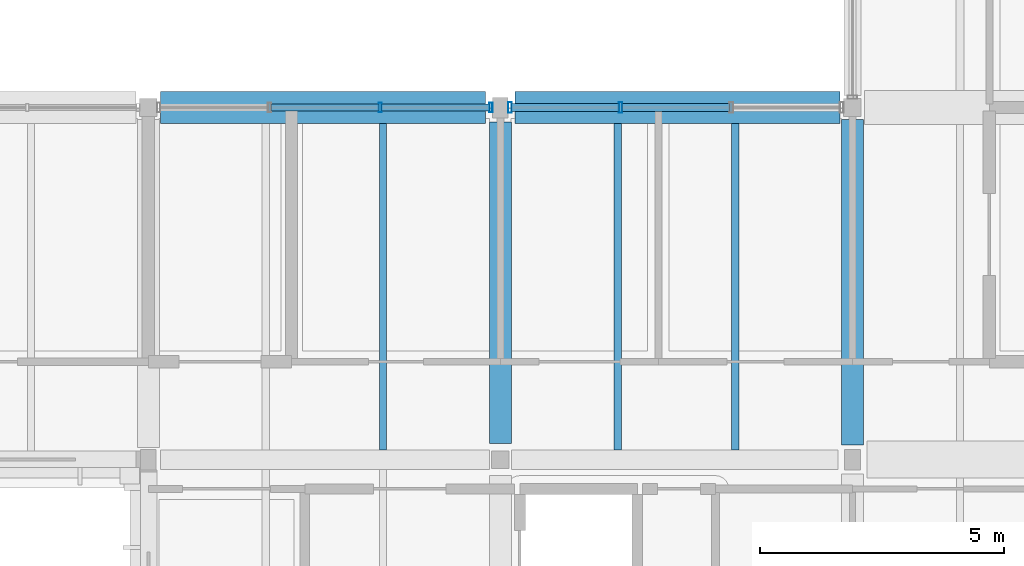
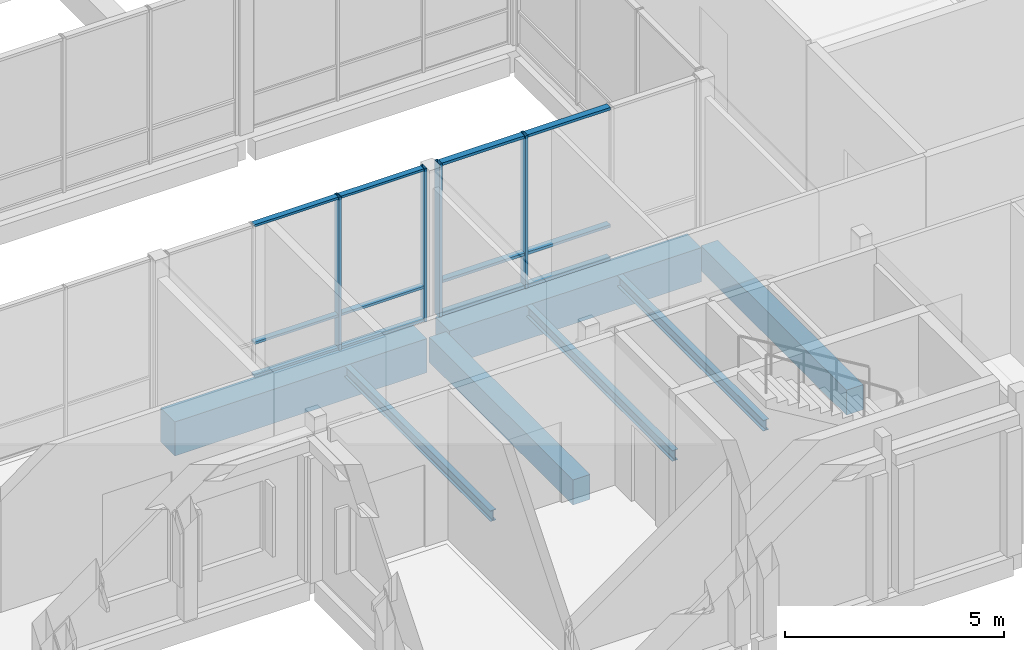
# One storey, part 34 of 146: 16 members, 7 beams, 2 elements without a shape of their own.
"""IFC4 building model written with IfcOpenShell, lengths in metres."""

from ifc_helpers import new_model, si_unit, direction, frame, origin, origin_2d, place, context, subcontext, project, spatial, rectangle, hollow_rectangle, i_section, extrude, material, material_profile, profile_set, type_object, element, aggregate, save


model = new_model("IFC4")

# Units and contexts
model_context = context("Model", 3, precision=1e-05, world=origin(), true_north=direction((0.0, 1.0)))
body_context = subcontext(model_context, "Body", "Model", "MODEL_VIEW")
ifc_project = project(units=[si_unit("LENGTHUNIT", "METRE"), si_unit("AREAUNIT", "SQUARE_METRE"), si_unit("VOLUMEUNIT", "CUBIC_METRE"), si_unit("PLANEANGLEUNIT", "RADIAN"), si_unit("MASSUNIT", "GRAM", prefix="KILO")], contexts=[model_context])

# Site, building, storey
site_placement = place(None, origin())
site = spatial("IfcSite", under=ifc_project, at=site_placement, CompositionType="ELEMENT")
building_placement = place(site_placement, origin())
building = spatial("IfcBuilding", under=site, at=building_placement, Name="Hawrajan Terrace Health Centre", CompositionType="ELEMENT")
storey_placement = place(building_placement, frame((0.0, 0.0, 4.5)))
storey = spatial("IfcBuildingStorey", under=building, at=storey_placement, Name="L01", CompositionType="ELEMENT", Elevation=4.5)

# Curtain wall, members
ifc_material_1 = material(Name="Anodized bronze aluminium and low-E solar glazing", Category="aluminium")
curtain_wall_type_1 = type_object("IfcCurtainWallType", Name="CW_Court_SeriesA1", PredefinedType="USERDEFINED", material=ifc_material_1)
curtain_wall_1_placement = place(storey_placement, origin())
curtain_wall_1 = element("IfcCurtainWall", 1, at=curtain_wall_1_placement, inside=storey, type_object=curtain_wall_type_1, Name="Curtain wall CW-L01-073", ObjectType="UNITISED CURTAIN WALL", PredefinedType="USERDEFINED")
ifc_material_2 = material(Name="Anodized bronze aluminium 6063-T6", Category="aluminium")
ifc_material_profile_1 = material_profile(ifc_material_2, hollow_rectangle(XDim=0.06494140625, YDim=0.199951171875, WallThickness=0.00439453125, at=origin_2d()), Name="CW MUL 65x200")
ifc_profile_set_1 = profile_set([ifc_material_profile_1], Name="Anodized bronze aluminium 6063-T6")
member_type_1 = type_object("IfcMemberType", Name="CWMullion_65x200", PredefinedType="MULLION", material=ifc_profile_set_1)
member_1_placement = place(storey_placement, frame((52.54248046875, 18.60009765625, -0.0048828125), z_axis=(0.0, 0.0, 1.0), x_axis=(1.0, 0.0, 0.0)))
member_1 = element("IfcMember", 2, at=member_1_placement, type_object=member_type_1, Name="Mullion CW-L01-073-M3", PredefinedType="MULLION", context=body_context, shape_type="SweptSolid", body=[
    extrude(hollow_rectangle(XDim=0.06494140625, YDim=0.199951171875, WallThickness=0.00439453125, at=origin_2d()), origin(), (0.0, 0.0, 1.0), 4.269775390625),
])
member_2_placement = place(storey_placement, frame((54.8076171875, 18.60009765625, -0.0048828125), z_axis=(0.0, 0.0, 1.0), x_axis=(1.0, 0.0, 0.0)))
member_2 = element("IfcMember", 3, at=member_2_placement, type_object=member_type_1, Name="Mullion CW-L01-073-M4", PredefinedType="MULLION", context=body_context, shape_type="SweptSolid", body=[
    extrude(hollow_rectangle(XDim=0.06494140625, YDim=0.199951171875, WallThickness=0.00439453125, at=origin_2d()), origin(), (0.0, 0.0, 1.0), 4.269775390625),
])

curtain_wall_type_2 = type_object("IfcCurtainWallType", Name="CW_Court_SeriesB2", PredefinedType="USERDEFINED", material=ifc_material_1)
curtain_wall_2_placement = place(storey_placement, origin())
curtain_wall_2 = element("IfcCurtainWall", 4, at=curtain_wall_2_placement, inside=storey, type_object=curtain_wall_type_2, Name="Curtain wall CW-L01-077", ObjectType="UNITISED CURTAIN WALL", PredefinedType="USERDEFINED")
ifc_material_profile_2 = material_profile(ifc_material_2, hollow_rectangle(XDim=0.074951171875, YDim=0.219970703125, WallThickness=0.0048828125, at=origin_2d()), Name="CW MUL 75x220")
ifc_profile_set_2 = profile_set([ifc_material_profile_2], Name="Anodized bronze aluminium 6063-T6")
member_type_2 = type_object("IfcMemberType", Name="CWMullion_75x220", PredefinedType="MULLION", material=ifc_profile_set_2)
member_3_placement = place(storey_placement, frame((55.197509765625, 18.60009765625, -0.0048828125), z_axis=(0.0, 0.0, 1.0), x_axis=(1.0, 0.0, 0.0)))
member_3 = element("IfcMember", 5, at=member_3_placement, type_object=member_type_2, Name="Mullion CW-L01-077-M1", PredefinedType="MULLION", context=body_context, shape_type="SweptSolid", body=[
    extrude(hollow_rectangle(XDim=0.074951171875, YDim=0.219970703125, WallThickness=0.0048828125, at=origin_2d()), origin(), (0.0, 0.0, 1.0), 4.269775390625),
])
member_4_placement = place(storey_placement, frame((57.459228515625, 18.60009765625, -0.0048828125), z_axis=(0.0, 0.0, 1.0), x_axis=(1.0, 0.0, 0.0)))
member_4 = element("IfcMember", 6, at=member_4_placement, type_object=member_type_2, Name="Mullion CW-L01-077-M2", PredefinedType="MULLION", context=body_context, shape_type="SweptSolid", body=[
    extrude(hollow_rectangle(XDim=0.074951171875, YDim=0.219970703125, WallThickness=0.0048828125, at=origin_2d()), origin(), (0.0, 0.0, 1.0), 4.269775390625),
])

# Member
ifc_material_profile_3 = material_profile(ifc_material_2, hollow_rectangle(XDim=0.06494140625, YDim=0.14990234375, WallThickness=0.00390625, at=origin_2d()), Name="CW TRN 65x150")
ifc_profile_set_3 = profile_set([ifc_material_profile_3], Name="Anodized bronze aluminium 6063-T6")
member_type_3 = type_object("IfcMemberType", Name="CWTransom_65x150", PredefinedType="USERDEFINED", material=ifc_profile_set_3)
member_5_placement = place(storey_placement, frame((50.303955078125, 18.60009765625, 0.032470703125), z_axis=(1.0, 0.0, 0.0), x_axis=(0.0, 0.0, 1.0)))
member_5 = element("IfcMember", 7, at=member_5_placement, type_object=member_type_3, Name="Transom CW-L01-073-T2-1", ObjectType="TRANSOM", PredefinedType="USERDEFINED", context=body_context, shape_type="SweptSolid", body=[
    extrude(hollow_rectangle(XDim=0.06494140625, YDim=0.14990234375, WallThickness=0.00390625, at=origin_2d()), origin(), (0.0, 0.0, 1.0), 2.212158203125),
])

member_6_placement = place(storey_placement, frame((50.303955078125, 18.60009765625, 0.949951171875), z_axis=(1.0, 0.0, 0.0), x_axis=(0.0, 0.0, 1.0)))
member_6 = element("IfcMember", 8, at=member_6_placement, type_object=member_type_3, Name="Transom CW-L01-073-T2-2", ObjectType="TRANSOM", PredefinedType="USERDEFINED", context=body_context, shape_type="SweptSolid", body=[
    extrude(hollow_rectangle(XDim=0.06494140625, YDim=0.14990234375, WallThickness=0.00390625, at=origin_2d()), origin(), (0.0, 0.0, 1.0), 2.212158203125),
])

member_7_placement = place(storey_placement, frame((50.303955078125, 18.60009765625, 4.2275390625), z_axis=(1.0, 0.0, 0.0), x_axis=(0.0, 0.0, 1.0)))
member_7 = element("IfcMember", 9, at=member_7_placement, type_object=member_type_3, Name="Transom CW-L01-073-T2-3", ObjectType="TRANSOM", PredefinedType="USERDEFINED", context=body_context, shape_type="SweptSolid", body=[
    extrude(hollow_rectangle(XDim=0.06494140625, YDim=0.14990234375, WallThickness=0.00390625, at=origin_2d()), origin(), (0.0, 0.0, 1.0), 2.212158203125),
])

member_8_placement = place(storey_placement, frame((52.569091796875, 18.60009765625, 0.032470703125), z_axis=(1.0, 0.0, 0.0), x_axis=(0.0, 0.0, 1.0)))
member_8 = element("IfcMember", 10, at=member_8_placement, type_object=member_type_3, Name="Transom CW-L01-073-T3-1", ObjectType="TRANSOM", PredefinedType="USERDEFINED", context=body_context, shape_type="SweptSolid", body=[
    extrude(hollow_rectangle(XDim=0.06494140625, YDim=0.14990234375, WallThickness=0.00390625, at=origin_2d()), origin(), (0.0, 0.0, 1.0), 2.2119140625),
])

member_9_placement = place(storey_placement, frame((52.569091796875, 18.60009765625, 0.949951171875), z_axis=(1.0, 0.0, 0.0), x_axis=(0.0, 0.0, 1.0)))
member_9 = element("IfcMember", 11, at=member_9_placement, type_object=member_type_3, Name="Transom CW-L01-073-T3-2", ObjectType="TRANSOM", PredefinedType="USERDEFINED", context=body_context, shape_type="SweptSolid", body=[
    extrude(hollow_rectangle(XDim=0.06494140625, YDim=0.14990234375, WallThickness=0.00390625, at=origin_2d()), origin(), (0.0, 0.0, 1.0), 2.2119140625),
])

member_10_placement = place(storey_placement, frame((52.569091796875, 18.60009765625, 4.2275390625), z_axis=(1.0, 0.0, 0.0), x_axis=(0.0, 0.0, 1.0)))
member_10 = element("IfcMember", 12, at=member_10_placement, type_object=member_type_3, Name="Transom CW-L01-073-T3-3", ObjectType="TRANSOM", PredefinedType="USERDEFINED", context=body_context, shape_type="SweptSolid", body=[
    extrude(hollow_rectangle(XDim=0.06494140625, YDim=0.14990234375, WallThickness=0.00390625, at=origin_2d()), origin(), (0.0, 0.0, 1.0), 2.2119140625),
])

aggregate(curtain_wall_1, [member_1, member_2, member_5, member_6, member_7, member_8, member_9, member_10])

ifc_material_profile_4 = material_profile(ifc_material_2, hollow_rectangle(XDim=0.074951171875, YDim=0.169921875, WallThickness=0.00439453125, at=origin_2d()), Name="CW TRN 75x170")
ifc_profile_set_4 = profile_set([ifc_material_profile_4], Name="Anodized bronze aluminium 6063-T6")
member_type_4 = type_object("IfcMemberType", Name="CWTransom_75x170", PredefinedType="USERDEFINED", material=ifc_profile_set_4)
member_11_placement = place(storey_placement, frame((55.22900390625, 18.60009765625, 0.03759765625), z_axis=(1.0, 0.0, 0.0), x_axis=(0.0, 0.0, 1.0)))
member_11 = element("IfcMember", 13, at=member_11_placement, type_object=member_type_4, Name="Transom CW-L01-077-T1-1", ObjectType="TRANSOM", PredefinedType="USERDEFINED", context=body_context, shape_type="SweptSolid", body=[
    extrude(hollow_rectangle(XDim=0.074951171875, YDim=0.169921875, WallThickness=0.00439453125, at=origin_2d()), origin(), (0.0, 0.0, 1.0), 2.19873046875),
])

member_12_placement = place(storey_placement, frame((55.22900390625, 18.60009765625, 0.949951171875), z_axis=(1.0, 0.0, 0.0), x_axis=(0.0, 0.0, 1.0)))
member_12 = element("IfcMember", 14, at=member_12_placement, type_object=member_type_4, Name="Transom CW-L01-077-T1-2", ObjectType="TRANSOM", PredefinedType="USERDEFINED", context=body_context, shape_type="SweptSolid", body=[
    extrude(hollow_rectangle(XDim=0.074951171875, YDim=0.169921875, WallThickness=0.00439453125, at=origin_2d()), origin(), (0.0, 0.0, 1.0), 2.19873046875),
])

member_13_placement = place(storey_placement, frame((55.22900390625, 18.60009765625, 4.222412109375), z_axis=(1.0, 0.0, 0.0), x_axis=(0.0, 0.0, 1.0)))
member_13 = element("IfcMember", 15, at=member_13_placement, type_object=member_type_4, Name="Transom CW-L01-077-T1-3", ObjectType="TRANSOM", PredefinedType="USERDEFINED", context=body_context, shape_type="SweptSolid", body=[
    extrude(hollow_rectangle(XDim=0.074951171875, YDim=0.169921875, WallThickness=0.00439453125, at=origin_2d()), origin(), (0.0, 0.0, 1.0), 2.19873046875),
])

member_14_placement = place(storey_placement, frame((57.49072265625, 18.60009765625, 0.03759765625), z_axis=(1.0, 0.0, 0.0), x_axis=(0.0, 0.0, 1.0)))
member_14 = element("IfcMember", 16, at=member_14_placement, type_object=member_type_4, Name="Transom CW-L01-077-T2-1", ObjectType="TRANSOM", PredefinedType="USERDEFINED", context=body_context, shape_type="SweptSolid", body=[
    extrude(hollow_rectangle(XDim=0.074951171875, YDim=0.169921875, WallThickness=0.00439453125, at=origin_2d()), origin(), (0.0, 0.0, 1.0), 2.198486328125),
])

member_15_placement = place(storey_placement, frame((57.49072265625, 18.60009765625, 0.949951171875), z_axis=(1.0, 0.0, 0.0), x_axis=(0.0, 0.0, 1.0)))
member_15 = element("IfcMember", 17, at=member_15_placement, type_object=member_type_4, Name="Transom CW-L01-077-T2-2", ObjectType="TRANSOM", PredefinedType="USERDEFINED", context=body_context, shape_type="SweptSolid", body=[
    extrude(hollow_rectangle(XDim=0.074951171875, YDim=0.169921875, WallThickness=0.00439453125, at=origin_2d()), origin(), (0.0, 0.0, 1.0), 2.198486328125),
])

member_16_placement = place(storey_placement, frame((57.49072265625, 18.60009765625, 4.222412109375), z_axis=(1.0, 0.0, 0.0), x_axis=(0.0, 0.0, 1.0)))
member_16 = element("IfcMember", 18, at=member_16_placement, type_object=member_type_4, Name="Transom CW-L01-077-T2-3", ObjectType="TRANSOM", PredefinedType="USERDEFINED", context=body_context, shape_type="SweptSolid", body=[
    extrude(hollow_rectangle(XDim=0.074951171875, YDim=0.169921875, WallThickness=0.00439453125, at=origin_2d()), origin(), (0.0, 0.0, 1.0), 2.198486328125),
])

aggregate(curtain_wall_2, [member_3, member_4, member_11, member_12, member_13, member_14, member_15, member_16])

# Beams
ifc_material_3 = material(Name="Concrete C40/50", Category="concrete")
ifc_material_profile_5 = material_profile(ifc_material_3, rectangle(XDim=0.449951171875, YDim=0.699951171875, at=origin_2d()), Name="RC BM 450x700")
ifc_profile_set_5 = profile_set([ifc_material_profile_5], Name="Concrete C40/50")
beam_type_1 = type_object("IfcBeamType", Name="RCGirder_450x700", PredefinedType="BEAM", material=ifc_profile_set_5)
beam_1_placement = place(storey_placement, frame((55.0, 11.72509765625, -0.64990234375), z_axis=(0.0, 1.0, 0.0), x_axis=(-1.0, 0.0, 0.0)))
element("IfcBeam", 19, at=beam_1_placement, inside=storey, type_object=beam_type_1, Name="Beam BM-Y-L01-W-X08-2", PredefinedType="BEAM", context=body_context, shape_type="SweptSolid", body=[
    extrude(rectangle(XDim=0.449951171875, YDim=0.699951171875, at=origin_2d()), origin(), (0.0, 0.0, 1.0), 6.574951171875),
])
beam_2_placement = place(storey_placement, frame((62.199951171875, 11.699951171875, -0.64990234375), z_axis=(0.0, 1.0, 0.0), x_axis=(-1.0, 0.0, 0.0)))
element("IfcBeam", 20, at=beam_2_placement, inside=storey, type_object=beam_type_1, Name="Beam BM-Y-L01-W-X09-2", PredefinedType="BEAM", context=body_context, shape_type="SweptSolid", body=[
    extrude(rectangle(XDim=0.449951171875, YDim=0.699951171875, at=origin_2d()), origin(), (0.0, 0.0, 1.0), 6.650146484375),
])
ifc_material_profile_6 = material_profile(ifc_material_3, rectangle(XDim=0.64990234375, YDim=0.949951171875, at=origin_2d()), Name="RC TG 650x950")
ifc_profile_set_6 = profile_set([ifc_material_profile_6], Name="Concrete C40/50")
beam_type_2 = type_object("IfcBeamType", Name="RCTransferGirder_650x950", PredefinedType="BEAM", material=ifc_profile_set_6)
for number, where, z_axis, x_axis, name in (
    (21, (48.050048828125, 18.60009765625, -0.77490234375), (1.0, 0.0, 0.0), (0.0, 1.0, 0.0), "Beam BM-X-L01-W-07-Y3"),
    (22, (55.300048828125, 18.60009765625, -0.77490234375), (1.0, 0.0, 0.0), (0.0, 1.0, 0.0), "Beam BM-X-L01-W-08-Y3"),
):
    element("IfcBeam", number, at=place(storey_placement, frame(where, z_axis=z_axis, x_axis=x_axis)), inside=storey, type_object=beam_type_2, Name=name, PredefinedType="BEAM", context=body_context, shape_type="SweptSolid", body=[
        extrude(rectangle(XDim=0.64990234375, YDim=0.949951171875, at=origin_2d()), origin(), (0.0, 0.0, 1.0), 6.64990234375),
    ])
ifc_material_4 = material(Name="Steel S355", Category="steel")
ifc_material_profile_7 = material_profile(ifc_material_4, i_section(OverallWidth=0.14990234375, OverallDepth=0.300048828125, WebThickness=0.007080078125, FlangeThickness=0.0107421875, FilletRadius=0.014892578125, at=origin_2d()), Name="IPE 300")
ifc_profile_set_7 = profile_set([ifc_material_profile_7], Name="Steel S355")
beam_type_3 = type_object("IfcBeamType", Name="SteelBeam_IPE300", PredefinedType="JOIST", material=ifc_profile_set_7)
for number, where, z_axis, x_axis, name in (
    (23, (52.60009765625, 11.60009765625, -0.449951171875), (0.0, 1.0, 0.0), (-1.0, 0.0, 0.0), "Secondary joist JST-L01-W-07-2-2"),
    (24, (57.39990234375, 11.60009765625, -0.449951171875), (0.0, 1.0, 0.0), (-1.0, 0.0, 0.0), "Secondary joist JST-L01-W-08-2-1"),
    (25, (59.800048828125, 11.60009765625, -0.449951171875), (0.0, 1.0, 0.0), (-1.0, 0.0, 0.0), "Secondary joist JST-L01-W-08-2-2"),
):
    element("IfcBeam", number, at=place(storey_placement, frame(where, z_axis=z_axis, x_axis=x_axis)), inside=storey, type_object=beam_type_3, Name=name, PredefinedType="JOIST", context=body_context, shape_type="SweptSolid", body=[
        extrude(i_section(OverallWidth=0.14990234375, OverallDepth=0.300048828125, WebThickness=0.007080078125, FlangeThickness=0.0107421875, FilletRadius=0.014892578125, at=origin_2d()), origin(), (0.0, 0.0, 1.0), 6.6748046875),
    ])

save(model, "model.ifc")
